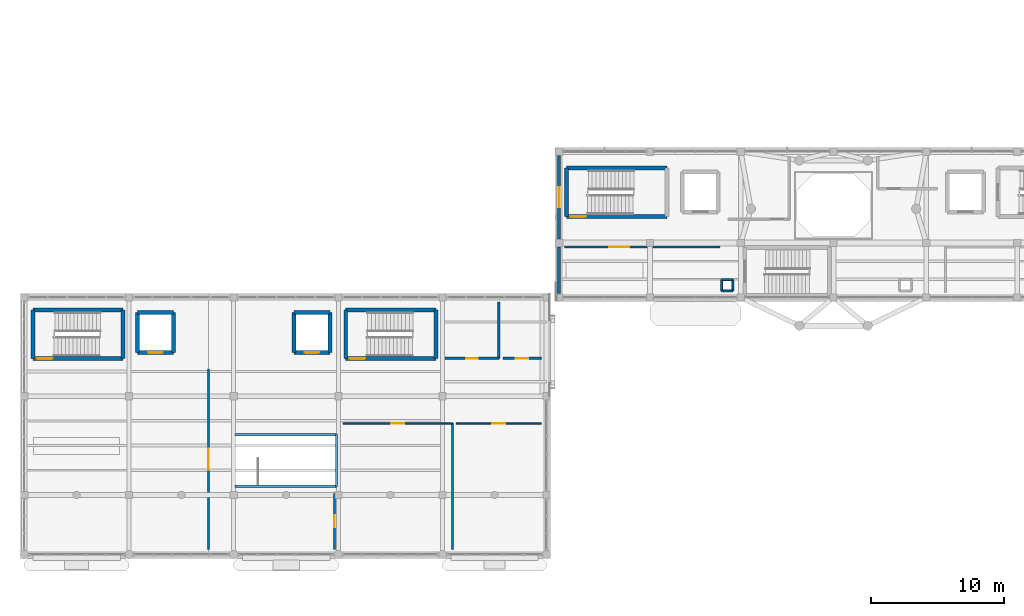
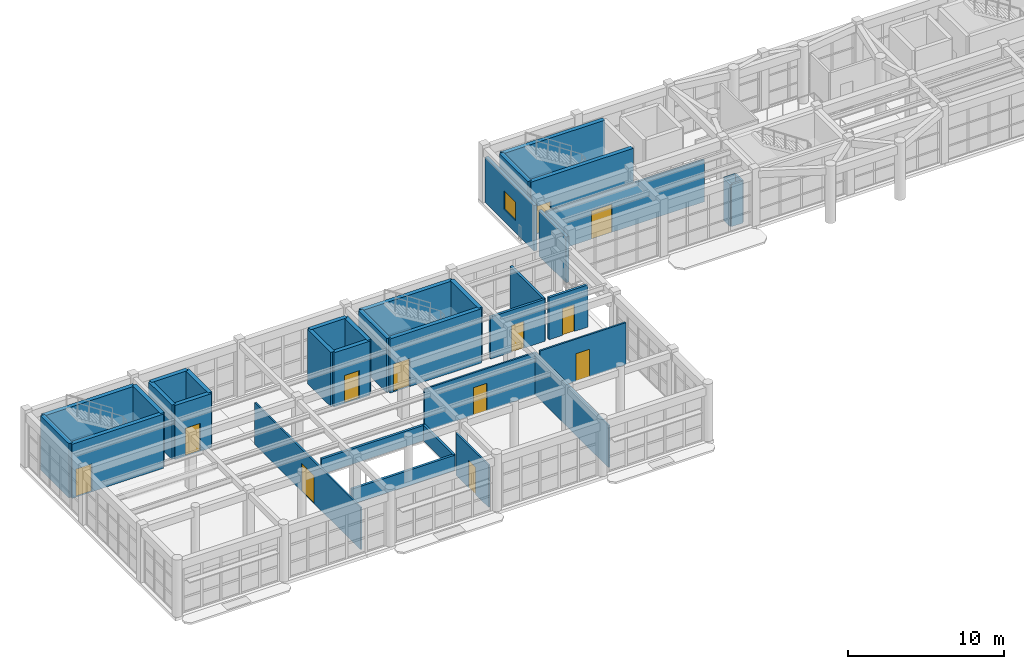
# One storey, part 68 of 85: 37 walls, 12 doors, 1 window, 13 openings.
"""IFC4 building model written with IfcOpenShell, lengths in metres."""

from ifc_helpers import new_model, si_unit, direction, frame, frame_2d, origin, place, context, subcontext, project, spatial, rectangle, extrude, material, layer, layer_set, type_object, element, fill, save


model = new_model("IFC4")

# Units and contexts
model_context = context("Model", 3, precision=1e-05, world=origin(), true_north=direction((0.0, 1.0)))
body_context = subcontext(model_context, "Body", "Model", "MODEL_VIEW")
ifc_project = project(units=[si_unit("LENGTHUNIT", "METRE"), si_unit("AREAUNIT", "SQUARE_METRE"), si_unit("VOLUMEUNIT", "CUBIC_METRE"), si_unit("PLANEANGLEUNIT", "RADIAN"), si_unit("MASSUNIT", "GRAM", prefix="KILO")], contexts=[model_context])

# Site, building, storey
site_placement = place(None, origin())
site = spatial("IfcSite", under=ifc_project, at=site_placement, CompositionType="ELEMENT")
building_placement = place(site_placement, origin())
building = spatial("IfcBuilding", under=site, at=building_placement, Name="Candilejo Ridge Gondola Terminal", CompositionType="ELEMENT")
storey_placement = place(building_placement, frame((0.0, 0.0, 4.5)))
storey = spatial("IfcBuildingStorey", under=building, at=storey_placement, Name="L01", CompositionType="ELEMENT", Elevation=4.5)

# Wall
ifc_material_1 = material(Name="Concrete C20/25 masonry blockwork (f'm 14 MPa)", Category="masonry")
ifc_layer_1 = layer(ifc_material_1, 0.219970703125)
ifc_layer_set_1 = layer_set([ifc_layer_1], Name="ARC-EXT-WALL-220")
wall_type_1 = type_object("IfcWallType", Name="ARC-EXT-WALL-220", PredefinedType="STANDARD", material=ifc_layer_set_1)
wall_1_placement = place(storey_placement, frame((44.64990234375, 26.0, 0.0), z_axis=(0.0, 0.0, 1.0), x_axis=(0.0, 1.0, 0.0)))
element("IfcWall", 1, at=wall_1_placement, inside=storey, type_object=wall_type_1, Name="Exterior facade wall EW-V2-L01-041", PredefinedType="STANDARD", context=body_context, shape_type="SweptSolid", body=[
    extrude(rectangle(XDim=3.5, YDim=0.219970703125, at=frame_2d((1.75, 0.0))), origin(), (0.0, 0.0, 1.0), 3.580078125),
])

# Wall, opening, window
wall_2_placement = place(storey_placement, frame((44.64990234375, 30.10009765625, 0.0), z_axis=(0.0, 0.0, 1.0), x_axis=(0.0, 1.0, 0.0)))
wall_2 = element("IfcWall", 2, at=wall_2_placement, inside=storey, type_object=wall_type_1, Name="Exterior facade wall EW-V2-L01-042", PredefinedType="STANDARD", context=body_context, shape_type="SweptSolid", body=[
    extrude(rectangle(XDim=6.2998046875, YDim=0.219970703125, at=frame_2d((3.14990234375, 0.0))), origin(), (0.0, 0.0, 1.0), 3.580078125),
])
opening_1_placement = place(wall_2_placement, frame((2.39990234375, 0.0, 0.949951171875)))
opening_1 = element("IfcOpeningElement", 3, at=opening_1_placement, cuts=wall_2, Name="Opening WN-03", PredefinedType="OPENING", context=body_context, shape_type="SweptSolid", body=[
    extrude(rectangle(XDim=1.5, YDim=1.449951171875, at=frame_2d((0.75, 0.72509765625))), frame((0.0, 0.119873046875, 0.0), z_axis=(0.0, -1.0, 0.0), x_axis=(1.0, 0.0, 0.0)), (0.0, 0.0, 1.0), 0.239990234375),
])
ifc_material_2 = material(Name="Low-E laminated double glazing 6+12A+6+1.52PVB+6 mm", Category="glass")
window_type = type_object("IfcWindowType", Name="ARC-WIN-1500X1450", PartitioningType="SINGLE_PANEL", PredefinedType="WINDOW", material=ifc_material_2)
window_placement = place(opening_1_placement, origin())
window = element("IfcWindow", 4, at=window_placement, inside=storey, type_object=window_type, Name="Window WIN-017", OverallHeight=1.449951171875, OverallWidth=1.5, PartitioningType="SINGLE_PANEL", PredefinedType="WINDOW", context=body_context, shape_type="SweptSolid", body=[
    extrude(rectangle(XDim=1.5, YDim=1.449951171875, at=frame_2d((0.75, 0.72509765625))), frame((0.0, 0.030029296875, 0.0), z_axis=(0.0, -1.0, 0.0), x_axis=(1.0, 0.0, 0.0)), (0.0, 0.0, 1.0), 0.06005859375),
])
fill(opening_1, window)

# Walls
ifc_material_3 = material(Name="Concrete f'c 35 MPa (C35/45)", Category="concrete")
ifc_layer_2 = layer(ifc_material_3, 0.179931640625)
ifc_layer_set_2 = layer_set([ifc_layer_2], Name="ARC-PARAPET-WALL-180")
wall_type_2 = type_object("IfcWallType", Name="ARC-PARAPET-WALL-180", PredefinedType="PARAPET", material=ifc_layer_set_2)
wall_3_placement = place(storey_placement, frame((20.199951171875, 11.449951171875, 0.0), z_axis=(0.0, 0.0, 1.0), x_axis=(1.0, 0.0, 0.0)))
element("IfcWall", 5, at=wall_3_placement, inside=storey, type_object=wall_type_2, Name="Public stair enclosure wall ST-P01 L01-S", PredefinedType="PARAPET", context=body_context, shape_type="SweptSolid", body=[
    extrude(rectangle(XDim=7.650146484375, YDim=0.179931640625, at=frame_2d((3.8251953125, 0.0))), origin(), (0.0, 0.0, 1.0), 1.199951171875),
])
wall_4_placement = place(storey_placement, frame((27.85009765625, 11.449951171875, 0.0), z_axis=(0.0, 0.0, 1.0), x_axis=(0.0, 1.0, 0.0)))
element("IfcWall", 6, at=wall_4_placement, inside=storey, type_object=wall_type_2, Name="Public stair enclosure wall ST-P01 L01-E", PredefinedType="PARAPET", context=body_context, shape_type="SweptSolid", body=[
    extrude(rectangle(XDim=3.900146484375, YDim=0.179931640625, at=frame_2d((1.9501953125, 0.0))), origin(), (0.0, 0.0, 1.0), 1.199951171875),
])
wall_5_placement = place(storey_placement, frame((20.199951171875, 15.35009765625, 0.0), z_axis=(0.0, 0.0, 1.0), x_axis=(1.0, 0.0, 0.0)))
element("IfcWall", 7, at=wall_5_placement, inside=storey, type_object=wall_type_2, Name="Public stair enclosure wall ST-P01 L01-N", PredefinedType="PARAPET", context=body_context, shape_type="SweptSolid", body=[
    extrude(rectangle(XDim=7.650146484375, YDim=0.179931640625, at=frame_2d((3.8251953125, 0.0))), origin(), (0.0, 0.0, 1.0), 1.199951171875),
])

# Wall, opening, door
ifc_material_4 = material(Name="Gypsum board Type X acoustic partition (2x15.9 mm)", Category="gypsum")
ifc_layer_3 = layer(ifc_material_4, 0.125)
ifc_layer_set_3 = layer_set([ifc_layer_3], Name="ARC-PART-GYP125")
wall_type_3 = type_object("IfcWallType", Name="ARC-PART-GYP125", PredefinedType="PARTITIONING", material=ifc_layer_set_3)
wall_6_placement = place(storey_placement, frame((18.199951171875, 6.699951171875, 0.0), z_axis=(0.0, 0.0, 1.0), x_axis=(0.0, 1.0, 0.0)))
wall_6 = element("IfcWall", 8, at=wall_6_placement, inside=storey, type_object=wall_type_3, Name="Interior partition PT-V1-L01-0034", PredefinedType="PARTITIONING", context=body_context, shape_type="SweptSolid", body=[
    extrude(rectangle(XDim=13.60009765625, YDim=0.125, at=frame_2d((6.800048828125, 0.0))), origin(), (0.0, 0.0, 1.0), 3.300048828125),
])
opening_2_placement = place(wall_6_placement, frame((6.0, 0.0, 0.0)))
opening_2 = element("IfcOpeningElement", 9, at=opening_2_placement, cuts=wall_6, Name="Opening ID-03", PredefinedType="OPENING", context=body_context, shape_type="SweptSolid", body=[
    extrude(rectangle(XDim=1.60009765625, YDim=2.199951171875, at=frame_2d((0.800048828125, 1.10009765625))), frame((0.0, 0.072509765625, 0.0), z_axis=(0.0, -1.0, 0.0), x_axis=(1.0, 0.0, 0.0)), (0.0, 0.0, 1.0), 0.14501953125),
])
ifc_material_5 = material(Name="Solid-core fire-rated hardwood door leaf", Category="wood")
door_type_1 = type_object("IfcDoorType", Name="ARC-DOOR-DBL-1600", OperationType="NOTDEFINED", PredefinedType="DOOR", material=ifc_material_5)
door_1_placement = place(opening_2_placement, origin())
door_1 = element("IfcDoor", 10, at=door_1_placement, inside=storey, type_object=door_type_1, Name="Interior door IDR-0019 (101)", OperationType="DOUBLE_DOOR_SINGLE_SWING", OverallHeight=2.199951171875, OverallWidth=1.60009765625, PredefinedType="DOOR", context=body_context, shape_type="SweptSolid", body=[
    extrude(rectangle(XDim=1.60009765625, YDim=2.199951171875, at=frame_2d((0.800048828125, 1.10009765625))), frame((0.0, 0.02490234375, 0.0), z_axis=(0.0, -1.0, 0.0), x_axis=(1.0, 0.0, 0.0)), (0.0, 0.0, 1.0), 0.050048828125),
])
fill(opening_2, door_1)

wall_7_placement = place(storey_placement, frame((27.699951171875, 6.699951171875, 0.0), z_axis=(0.0, 0.0, 1.0), x_axis=(0.0, 1.0, 0.0)))
wall_7 = element("IfcWall", 11, at=wall_7_placement, inside=storey, type_object=wall_type_3, Name="Interior partition PT-V1-L01-0035", PredefinedType="PARTITIONING", context=body_context, shape_type="SweptSolid", body=[
    extrude(rectangle(XDim=4.199951171875, YDim=0.125, at=frame_2d((2.10009765625, 0.0))), origin(), (0.0, 0.0, 1.0), 3.300048828125),
])
opening_3_placement = place(wall_7_placement, frame((1.64990234375, 0.0, 0.0)))
opening_3 = element("IfcOpeningElement", 12, at=opening_3_placement, cuts=wall_7, Name="Opening ID-02", PredefinedType="OPENING", context=body_context, shape_type="SweptSolid", body=[
    extrude(rectangle(XDim=0.89990234375, YDim=2.14990234375, at=frame_2d((0.449951171875, 1.074951171875))), frame((0.0, 0.072509765625, 0.0), z_axis=(0.0, -1.0, 0.0), x_axis=(1.0, 0.0, 0.0)), (0.0, 0.0, 1.0), 0.14501953125),
])
ifc_material_6 = material(Name="Solid-core fire-rated hardwood door leaf", Category="wood")
door_type_2 = type_object("IfcDoorType", Name="ARC-DOOR-INT-0900", OperationType="NOTDEFINED", PredefinedType="DOOR", material=ifc_material_6)
door_2_placement = place(opening_3_placement, origin())
door_2 = element("IfcDoor", 13, at=door_2_placement, inside=storey, type_object=door_type_2, Name="Interior door IDR-0020 (103)", OperationType="SINGLE_SWING_RIGHT", OverallHeight=2.14990234375, OverallWidth=0.89990234375, PredefinedType="DOOR", context=body_context, shape_type="SweptSolid", body=[
    extrude(rectangle(XDim=0.89990234375, YDim=2.14990234375, at=frame_2d((0.449951171875, 1.074951171875))), frame((0.0, 0.02490234375, 0.0), z_axis=(0.0, -1.0, 0.0), x_axis=(1.0, 0.0, 0.0)), (0.0, 0.0, 1.0), 0.050048828125),
])
fill(opening_3, door_2)

wall_8_placement = place(storey_placement, frame((28.35009765625, 16.199951171875, 0.0), z_axis=(0.0, 0.0, 1.0), x_axis=(1.0, 0.0, 0.0)))
wall_8 = element("IfcWall", 14, at=wall_8_placement, inside=storey, type_object=wall_type_3, Name="Interior partition PT-V1-L01-0036", PredefinedType="PARTITIONING", context=body_context, shape_type="SweptSolid", body=[
    extrude(rectangle(XDim=8.25, YDim=0.125, at=frame_2d((4.125, 0.0))), origin(), (0.0, 0.0, 1.0), 3.300048828125),
])
opening_4_placement = place(wall_8_placement, frame((3.625, 0.0, 0.0)))
opening_4 = element("IfcOpeningElement", 15, at=opening_4_placement, cuts=wall_8, Name="Opening ID-01", PredefinedType="OPENING", context=body_context, shape_type="SweptSolid", body=[
    extrude(rectangle(XDim=1.0, YDim=2.14990234375, at=frame_2d((0.5, 1.074951171875))), frame((0.0, 0.072509765625, 0.0), z_axis=(0.0, -1.0, 0.0), x_axis=(1.0, 0.0, 0.0)), (0.0, 0.0, 1.0), 0.14501953125),
])
ifc_material_7 = material(Name="Solid-core fire-rated hardwood door leaf", Category="wood")
door_type_3 = type_object("IfcDoorType", Name="ARC-DOOR-INT-1000", OperationType="NOTDEFINED", PredefinedType="DOOR", material=ifc_material_7)
door_3_placement = place(opening_4_placement, origin())
door_3 = element("IfcDoor", 16, at=door_3_placement, inside=storey, type_object=door_type_3, Name="Interior door IDR-0021 (104)", OperationType="SINGLE_SWING_LEFT", OverallHeight=2.14990234375, OverallWidth=1.0, PredefinedType="DOOR", context=body_context, shape_type="SweptSolid", body=[
    extrude(rectangle(XDim=1.0, YDim=2.14990234375, at=frame_2d((0.5, 1.074951171875))), frame((0.0, 0.02490234375, 0.0), z_axis=(0.0, -1.0, 0.0), x_axis=(1.0, 0.0, 0.0)), (0.0, 0.0, 1.0), 0.050048828125),
])
fill(opening_4, door_3)

# Wall
wall_9_placement = place(storey_placement, frame((36.60009765625, 6.699951171875, 0.0), z_axis=(0.0, 0.0, 1.0), x_axis=(0.0, 1.0, 0.0)))
element("IfcWall", 17, at=wall_9_placement, inside=storey, type_object=wall_type_3, Name="Interior partition PT-V1-L01-0037", PredefinedType="PARTITIONING", context=body_context, shape_type="SweptSolid", body=[
    extrude(rectangle(XDim=9.5, YDim=0.125, at=frame_2d((4.75, 0.0))), origin(), (0.0, 0.0, 1.0), 3.300048828125),
])

# Wall, opening, door
wall_10_placement = place(storey_placement, frame((36.89990234375, 16.199951171875, 0.0), z_axis=(0.0, 0.0, 1.0), x_axis=(1.0, 0.0, 0.0)))
wall_10 = element("IfcWall", 18, at=wall_10_placement, inside=storey, type_object=wall_type_3, Name="Interior partition PT-V1-L01-0038", PredefinedType="PARTITIONING", context=body_context, shape_type="SweptSolid", body=[
    extrude(rectangle(XDim=6.400146484375, YDim=0.125, at=frame_2d((3.2001953125, 0.0))), origin(), (0.0, 0.0, 1.0), 3.300048828125),
])
opening_5_placement = place(wall_10_placement, frame((2.699951171875, 0.0, 0.0)))
opening_5 = element("IfcOpeningElement", 19, at=opening_5_placement, cuts=wall_10, Name="Opening ID-01", PredefinedType="OPENING", context=body_context, shape_type="SweptSolid", body=[
    extrude(rectangle(XDim=1.0, YDim=2.14990234375, at=frame_2d((0.5, 1.074951171875))), frame((0.0, 0.072509765625, 0.0), z_axis=(0.0, -1.0, 0.0), x_axis=(1.0, 0.0, 0.0)), (0.0, 0.0, 1.0), 0.14501953125),
])
door_4_placement = place(opening_5_placement, origin())
door_4 = element("IfcDoor", 20, at=door_4_placement, inside=storey, type_object=door_type_3, Name="Interior door IDR-0022 (105)", OperationType="SINGLE_SWING_RIGHT", OverallHeight=2.14990234375, OverallWidth=1.0, PredefinedType="DOOR", context=body_context, shape_type="SweptSolid", body=[
    extrude(rectangle(XDim=1.0, YDim=2.14990234375, at=frame_2d((0.5, 1.074951171875))), frame((0.0, 0.02490234375, 0.0), z_axis=(0.0, -1.0, 0.0), x_axis=(1.0, 0.0, 0.0)), (0.0, 0.0, 1.0), 0.050048828125),
])
fill(opening_5, door_4)

ifc_material_8 = material(Name="Gypsum board Type X acoustic partition (2x15.9 mm)", Category="gypsum")
ifc_layer_4 = layer(ifc_material_8, 0.135009765625)
ifc_layer_set_4 = layer_set([ifc_layer_4], Name="ARC-PART-GYP135")
wall_type_4 = type_object("IfcWallType", Name="ARC-PART-GYP135", PredefinedType="PARTITIONING", material=ifc_layer_set_4)
wall_11_placement = place(storey_placement, frame((45.050048828125, 29.5, 0.0), z_axis=(0.0, 0.0, 1.0), x_axis=(1.0, 0.0, 0.0)))
wall_11 = element("IfcWall", 21, at=wall_11_placement, inside=storey, type_object=wall_type_4, Name="Interior partition PT-V2-L01-0042", PredefinedType="PARTITIONING", context=body_context, shape_type="SweptSolid", body=[
    extrude(rectangle(XDim=11.75, YDim=0.135009765625, at=frame_2d((5.875, 0.0))), origin(), (0.0, 0.0, 1.0), 3.300048828125),
])
opening_6_placement = place(wall_11_placement, frame((3.375, 0.0, 0.0)))
opening_6 = element("IfcOpeningElement", 22, at=opening_6_placement, cuts=wall_11, Name="Opening ID-03B", PredefinedType="OPENING", context=body_context, shape_type="SweptSolid", body=[
    extrude(rectangle(XDim=1.5, YDim=2.199951171875, at=frame_2d((0.75, 1.10009765625))), frame((0.0, 0.077392578125, 0.0), z_axis=(0.0, -1.0, 0.0), x_axis=(1.0, 0.0, 0.0)), (0.0, 0.0, 1.0), 0.155029296875),
])
ifc_material_9 = material(Name="Solid-core fire-rated hardwood door leaf", Category="wood")
door_type_4 = type_object("IfcDoorType", Name="ARC-DOOR-DBL-1500", OperationType="NOTDEFINED", PredefinedType="DOOR", material=ifc_material_9)
door_5_placement = place(opening_6_placement, origin())
door_5 = element("IfcDoor", 23, at=door_5_placement, inside=storey, type_object=door_type_4, Name="Interior door IDR-0025 (109)", OperationType="DOUBLE_DOOR_SINGLE_SWING", OverallHeight=2.199951171875, OverallWidth=1.5, PredefinedType="DOOR", context=body_context, shape_type="SweptSolid", body=[
    extrude(rectangle(XDim=1.5, YDim=2.199951171875, at=frame_2d((0.75, 1.10009765625))), frame((0.0, 0.02490234375, 0.0), z_axis=(0.0, -1.0, 0.0), x_axis=(1.0, 0.0, 0.0)), (0.0, 0.0, 1.0), 0.050048828125),
])
fill(opening_6, door_5)

# Walls
ifc_material_10 = material(Name="Gypsum board Type X acoustic partition (2x15.9 mm)", Category="gypsum")
ifc_layer_5 = layer(ifc_material_10, 0.14990234375)
ifc_layer_set_5 = layer_set([ifc_layer_5], Name="ARC-PART-GYP150-EI60")
wall_type_5 = type_object("IfcWallType", Name="ARC-PART-GYP150-EI60", PredefinedType="PARTITIONING", material=ifc_layer_set_5)
for number, where, z_axis, x_axis, name in (
    (24, (56.89990234375, 26.199951171875, 0.0), (0.0, 0.0, 1.0), (1.0, 0.0, 0.0), "Riser shaft wall RIS-V2-L01W L01-S"),
    (25, (56.89990234375, 27.050048828125, 0.0), (0.0, 0.0, 1.0), (1.0, 0.0, 0.0), "Riser shaft wall RIS-V2-L01W L01-N"),
    (26, (56.89990234375, 26.199951171875, 0.0), (0.0, 0.0, 1.0), (0.0, 1.0, 0.0), "Riser shaft wall RIS-V2-L01W L01-W"),
    (27, (57.75, 26.199951171875, 0.0), (0.0, 0.0, 1.0), (0.0, 1.0, 0.0), "Riser shaft wall RIS-V2-L01W L01-E"),
):
    element("IfcWall", number, at=place(storey_placement, frame(where, z_axis=z_axis, x_axis=x_axis)), inside=storey, type_object=wall_type_5, Name=name, PredefinedType="PARTITIONING", context=body_context, shape_type="SweptSolid", body=[
        extrude(rectangle(XDim=0.85009765625, YDim=0.14990234375, at=frame_2d((0.425048828125, 0.0))), origin(), (0.0, 0.0, 1.0), 3.300048828125),
    ])

# Wall, opening, door
ifc_material_11 = material(Name="Concrete C20/25 masonry blockwork (f'm 14 MPa)", Category="masonry")
ifc_layer_6 = layer(ifc_material_11, 0.179931640625)
ifc_layer_set_6 = layer_set([ifc_layer_6], Name="ARC-WALL-PLUMBING-180")
wall_type_6 = type_object("IfcWallType", Name="ARC-WALL-PLUMBING-180", PredefinedType="PLUMBINGWALL", material=ifc_layer_set_6)
wall_12_placement = place(storey_placement, frame((36.050048828125, 21.10009765625, 0.0), z_axis=(0.0, 0.0, 1.0), x_axis=(1.0, 0.0, 0.0)))
wall_12 = element("IfcWall", 28, at=wall_12_placement, inside=storey, type_object=wall_type_6, Name="Interior partition PT-V1-L01-0039", PredefinedType="PLUMBINGWALL", context=body_context, shape_type="SweptSolid", body=[
    extrude(rectangle(XDim=4.050048828125, YDim=0.179931640625, at=frame_2d((2.02490234375, 0.0))), origin(), (0.0, 0.0, 1.0), 3.300048828125),
])
opening_7_placement = place(wall_12_placement, frame((1.574951171875, 0.0, 0.0)))
opening_7 = element("IfcOpeningElement", 29, at=opening_7_placement, cuts=wall_12, Name="Opening ID-04", PredefinedType="OPENING", context=body_context, shape_type="SweptSolid", body=[
    extrude(rectangle(XDim=0.89990234375, YDim=2.10009765625, at=frame_2d((0.449951171875, 1.050048828125))), frame((0.0, 0.099853515625, 0.0), z_axis=(0.0, -1.0, 0.0), x_axis=(1.0, 0.0, 0.0)), (0.0, 0.0, 1.0), 0.199951171875),
])
ifc_material_12 = material(Name="Solid-core fire-rated hardwood door leaf", Category="wood")
door_type_5 = type_object("IfcDoorType", Name="ARC-DOOR-WC-0900", OperationType="NOTDEFINED", PredefinedType="DOOR", material=ifc_material_12)
door_6_placement = place(opening_7_placement, origin())
door_6 = element("IfcDoor", 30, at=door_6_placement, inside=storey, type_object=door_type_5, Name="Interior door IDR-0023 (107)", OperationType="SINGLE_SWING_LEFT", OverallHeight=2.10009765625, OverallWidth=0.89990234375, PredefinedType="DOOR", context=body_context, shape_type="SweptSolid", body=[
    extrude(rectangle(XDim=0.89990234375, YDim=2.10009765625, at=frame_2d((0.449951171875, 1.050048828125))), frame((0.0, 0.02490234375, 0.0), z_axis=(0.0, -1.0, 0.0), x_axis=(1.0, 0.0, 0.0)), (0.0, 0.0, 1.0), 0.050048828125),
])
fill(opening_7, door_6)

# Wall
wall_13_placement = place(storey_placement, frame((40.10009765625, 21.10009765625, 0.0), z_axis=(0.0, 0.0, 1.0), x_axis=(0.0, 1.0, 0.0)))
element("IfcWall", 31, at=wall_13_placement, inside=storey, type_object=wall_type_6, Name="Interior partition PT-V1-L01-0040", PredefinedType="PLUMBINGWALL", context=body_context, shape_type="SweptSolid", body=[
    extrude(rectangle(XDim=4.25, YDim=0.179931640625, at=frame_2d((2.125, 0.0))), origin(), (0.0, 0.0, 1.0), 3.300048828125),
])

# Wall, opening, door
wall_14_placement = place(storey_placement, frame((40.39990234375, 21.10009765625, 0.0), z_axis=(0.0, 0.0, 1.0), x_axis=(1.0, 0.0, 0.0)))
wall_14 = element("IfcWall", 32, at=wall_14_placement, inside=storey, type_object=wall_type_6, Name="Interior partition PT-V1-L01-0041", PredefinedType="PLUMBINGWALL", context=body_context, shape_type="SweptSolid", body=[
    extrude(rectangle(XDim=2.900146484375, YDim=0.179931640625, at=frame_2d((1.4501953125, 0.0))), origin(), (0.0, 0.0, 1.0), 3.300048828125),
])
opening_8_placement = place(wall_14_placement, frame((0.989990234375, 0.0, 0.0)))
opening_8 = element("IfcOpeningElement", 33, at=opening_8_placement, cuts=wall_14, Name="Opening ID-04A", PredefinedType="OPENING", context=body_context, shape_type="SweptSolid", body=[
    extrude(rectangle(XDim=0.919921875, YDim=2.10009765625, at=frame_2d((0.4599609375, 1.050048828125))), frame((0.0, 0.099853515625, 0.0), z_axis=(0.0, -1.0, 0.0), x_axis=(1.0, 0.0, 0.0)), (0.0, 0.0, 1.0), 0.199951171875),
])
ifc_material_13 = material(Name="Solid-core fire-rated hardwood door leaf", Category="wood")
door_type_6 = type_object("IfcDoorType", Name="ARC-DOOR-WC-0920", OperationType="NOTDEFINED", PredefinedType="DOOR", material=ifc_material_13)
door_7_placement = place(opening_8_placement, origin())
door_7 = element("IfcDoor", 34, at=door_7_placement, inside=storey, type_object=door_type_6, Name="Interior door IDR-0024 (108)", OperationType="SINGLE_SWING_RIGHT", OverallHeight=2.10009765625, OverallWidth=0.919921875, PredefinedType="DOOR", context=body_context, shape_type="SweptSolid", body=[
    extrude(rectangle(XDim=0.919921875, YDim=2.10009765625, at=frame_2d((0.4599609375, 1.050048828125))), frame((0.0, 0.02490234375, 0.0), z_axis=(0.0, -1.0, 0.0), x_axis=(1.0, 0.0, 0.0)), (0.0, 0.0, 1.0), 0.050048828125),
])
fill(opening_8, door_7)

ifc_material_14 = material(Name="Concrete f'c 35 MPa (C35/45)", Category="concrete")
ifc_layer_7 = layer(ifc_material_14, 0.300048828125)
ifc_layer_set_7 = layer_set([ifc_layer_7], Name="STR-CORE-WALL-300")
wall_type_7 = type_object("IfcWallType", Name="STR-CORE-WALL-300", PredefinedType="SHEAR", material=ifc_layer_set_7)
wall_15_placement = place(storey_placement, frame((4.949951171875, 21.10009765625, 0.0), z_axis=(0.0, 0.0, 1.0), x_axis=(1.0, 0.0, 0.0)))
wall_15 = element("IfcWall", 35, at=wall_15_placement, inside=storey, type_object=wall_type_7, Name="Core stair shear wall SW-C-V1A-L01-ST-S", PredefinedType="SHEAR", context=body_context, shape_type="SweptSolid", body=[
    extrude(rectangle(XDim=6.800048828125, YDim=0.300048828125, at=frame_2d((3.39990234375, 0.0))), origin(), (0.0, 0.0, 1.0), 4.25),
])
opening_9_placement = place(wall_15_placement, frame((0.280029296875, 0.0, 0.0)))
opening_9 = element("IfcOpeningElement", 36, at=opening_9_placement, cuts=wall_15, Name="Opening FD-01", PredefinedType="OPENING", context=body_context, shape_type="SweptSolid", body=[
    extrude(rectangle(XDim=1.199951171875, YDim=2.199951171875, at=frame_2d((0.60009765625, 1.10009765625))), frame((0.0, 0.159912109375, 0.0), z_axis=(0.0, -1.0, 0.0), x_axis=(1.0, 0.0, 0.0)), (0.0, 0.0, 1.0), 0.320068359375),
])
ifc_material_15 = material(Name="Steel ASTM A653 Grade 33 hollow-metal door", Category="steel")
door_type_7 = type_object("IfcDoorType", Name="ARC-DOOR-FD90-1200", OperationType="NOTDEFINED", PredefinedType="DOOR", material=ifc_material_15)
door_8_placement = place(opening_9_placement, origin())
door_8 = element("IfcDoor", 37, at=door_8_placement, inside=storey, type_object=door_type_7, Name="Fire stair door SDR-002", OperationType="SINGLE_SWING_RIGHT", OverallHeight=2.199951171875, OverallWidth=1.199951171875, PredefinedType="DOOR", context=body_context, shape_type="SweptSolid", body=[
    extrude(rectangle(XDim=1.199951171875, YDim=2.199951171875, at=frame_2d((0.60009765625, 1.10009765625))), frame((0.0, 0.02490234375, 0.0), z_axis=(0.0, -1.0, 0.0), x_axis=(1.0, 0.0, 0.0)), (0.0, 0.0, 1.0), 0.050048828125),
])
fill(opening_9, door_8)

# Walls
wall_16_placement = place(storey_placement, frame((11.75, 24.75, 0.0), z_axis=(0.0, 0.0, 1.0), x_axis=(-1.0, 0.0, 0.0)))
element("IfcWall", 38, at=wall_16_placement, inside=storey, type_object=wall_type_7, Name="Core stair shear wall SW-C-V1A-L01-ST-N", PredefinedType="SHEAR", context=body_context, shape_type="SweptSolid", body=[
    extrude(rectangle(XDim=6.800048828125, YDim=0.300048828125, at=frame_2d((3.39990234375, 0.0))), origin(), (0.0, 0.0, 1.0), 4.25),
])
for number, where, z_axis, x_axis, name in (
    (39, (4.949951171875, 24.75, 0.0), (0.0, 0.0, 1.0), (0.0, -1.0, 0.0), "Core stair shear wall SW-C-V1A-L01-ST-W"),
    (40, (11.75, 21.10009765625, 0.0), (0.0, 0.0, 1.0), (0.0, 1.0, 0.0), "Core stair shear wall SW-C-V1A-L01-ST-E"),
):
    element("IfcWall", number, at=place(storey_placement, frame(where, z_axis=z_axis, x_axis=x_axis)), inside=storey, type_object=wall_type_7, Name=name, PredefinedType="SHEAR", context=body_context, shape_type="SweptSolid", body=[
        extrude(rectangle(XDim=3.64990234375, YDim=0.300048828125, at=frame_2d((1.824951171875, 0.0))), origin(), (0.0, 0.0, 1.0), 4.25),
    ])

# Wall, opening, door
wall_17_placement = place(storey_placement, frame((12.85009765625, 21.550048828125, 0.0), z_axis=(0.0, 0.0, 1.0), x_axis=(1.0, 0.0, 0.0)))
wall_17 = element("IfcWall", 41, at=wall_17_placement, inside=storey, type_object=wall_type_7, Name="Lift shaft shear wall SW-C-V1A-L01-LF-S", PredefinedType="SHEAR", context=body_context, shape_type="SweptSolid", body=[
    extrude(rectangle(XDim=2.699951171875, YDim=0.300048828125, at=frame_2d((1.35009765625, 0.0))), origin(), (0.0, 0.0, 1.0), 4.25),
])
opening_10_placement = place(wall_17_placement, frame((0.800048828125, 0.0, 0.0)))
opening_10 = element("IfcOpeningElement", 42, at=opening_10_placement, cuts=wall_17, Name="Opening LD-01", PredefinedType="OPENING", context=body_context, shape_type="SweptSolid", body=[
    extrude(rectangle(XDim=1.10009765625, YDim=2.199951171875, at=frame_2d((0.550048828125, 1.10009765625))), frame((0.0, 0.159912109375, 0.0), z_axis=(0.0, -1.0, 0.0), x_axis=(1.0, 0.0, 0.0)), (0.0, 0.0, 1.0), 0.320068359375),
])
ifc_material_16 = material(Name="Brushed stainless steel AISI 316", Category="steel")
door_type_8 = type_object("IfcDoorType", Name="ARC-LIFT-DOOR-1100", OperationType="NOTDEFINED", PredefinedType="DOOR", material=ifc_material_16)
door_9_placement = place(opening_10_placement, origin())
door_9 = element("IfcDoor", 43, at=door_9_placement, inside=storey, type_object=door_type_8, Name="Elevator landing door LDR-002", OperationType="SLIDING_TO_LEFT", OverallHeight=2.199951171875, OverallWidth=1.10009765625, PredefinedType="DOOR", context=body_context, shape_type="SweptSolid", body=[
    extrude(rectangle(XDim=1.10009765625, YDim=2.199951171875, at=frame_2d((0.550048828125, 1.10009765625))), frame((0.0, 0.02490234375, 0.0), z_axis=(0.0, -1.0, 0.0), x_axis=(1.0, 0.0, 0.0)), (0.0, 0.0, 1.0), 0.050048828125),
])
fill(opening_10, door_9)

# Walls
wall_18_placement = place(storey_placement, frame((12.85009765625, 24.550048828125, 0.0), z_axis=(0.0, 0.0, 1.0), x_axis=(1.0, 0.0, 0.0)))
element("IfcWall", 44, at=wall_18_placement, inside=storey, type_object=wall_type_7, Name="Lift shaft shear wall SW-C-V1A-L01-LF-N", PredefinedType="SHEAR", context=body_context, shape_type="SweptSolid", body=[
    extrude(rectangle(XDim=2.699951171875, YDim=0.300048828125, at=frame_2d((1.35009765625, 0.0))), origin(), (0.0, 0.0, 1.0), 4.25),
])
for number, where, z_axis, x_axis, name in (
    (45, (12.85009765625, 21.550048828125, 0.0), (0.0, 0.0, 1.0), (0.0, 1.0, 0.0), "Lift shaft shear wall SW-C-V1A-L01-LF-W"),
    (46, (15.550048828125, 21.550048828125, 0.0), (0.0, 0.0, 1.0), (0.0, 1.0, 0.0), "Lift shaft shear wall SW-C-V1A-L01-LF-E"),
):
    element("IfcWall", number, at=place(storey_placement, frame(where, z_axis=z_axis, x_axis=x_axis)), inside=storey, type_object=wall_type_7, Name=name, PredefinedType="SHEAR", context=body_context, shape_type="SweptSolid", body=[
        extrude(rectangle(XDim=3.0, YDim=0.300048828125, at=frame_2d((1.5, 0.0))), origin(), (0.0, 0.0, 1.0), 4.25),
    ])

# Wall, opening, door
wall_19_placement = place(storey_placement, frame((28.550048828125, 21.10009765625, 0.0), z_axis=(0.0, 0.0, 1.0), x_axis=(1.0, 0.0, 0.0)))
wall_19 = element("IfcWall", 47, at=wall_19_placement, inside=storey, type_object=wall_type_7, Name="Core stair shear wall SW-C-V1B-L01-ST-S", PredefinedType="SHEAR", context=body_context, shape_type="SweptSolid", body=[
    extrude(rectangle(XDim=6.800048828125, YDim=0.300048828125, at=frame_2d((3.39990234375, 0.0))), origin(), (0.0, 0.0, 1.0), 4.25),
])
opening_11_placement = place(wall_19_placement, frame((0.280029296875, 0.0, 0.0)))
opening_11 = element("IfcOpeningElement", 48, at=opening_11_placement, cuts=wall_19, Name="Opening FD-01", PredefinedType="OPENING", context=body_context, shape_type="SweptSolid", body=[
    extrude(rectangle(XDim=1.199951171875, YDim=2.199951171875, at=frame_2d((0.60009765625, 1.10009765625))), frame((0.0, 0.159912109375, 0.0), z_axis=(0.0, -1.0, 0.0), x_axis=(1.0, 0.0, 0.0)), (0.0, 0.0, 1.0), 0.320068359375),
])
door_10_placement = place(opening_11_placement, origin())
door_10 = element("IfcDoor", 49, at=door_10_placement, inside=storey, type_object=door_type_7, Name="Fire stair door SDR-005", OperationType="SINGLE_SWING_LEFT", OverallHeight=2.199951171875, OverallWidth=1.199951171875, PredefinedType="DOOR", context=body_context, shape_type="SweptSolid", body=[
    extrude(rectangle(XDim=1.199951171875, YDim=2.199951171875, at=frame_2d((0.60009765625, 1.10009765625))), frame((0.0, 0.02490234375, 0.0), z_axis=(0.0, -1.0, 0.0), x_axis=(1.0, 0.0, 0.0)), (0.0, 0.0, 1.0), 0.050048828125),
])
fill(opening_11, door_10)

# Walls
wall_20_placement = place(storey_placement, frame((35.35009765625, 24.75, 0.0), z_axis=(0.0, 0.0, 1.0), x_axis=(-1.0, 0.0, 0.0)))
element("IfcWall", 50, at=wall_20_placement, inside=storey, type_object=wall_type_7, Name="Core stair shear wall SW-C-V1B-L01-ST-N", PredefinedType="SHEAR", context=body_context, shape_type="SweptSolid", body=[
    extrude(rectangle(XDim=6.800048828125, YDim=0.300048828125, at=frame_2d((3.39990234375, 0.0))), origin(), (0.0, 0.0, 1.0), 4.25),
])
for number, where, z_axis, x_axis, name in (
    (51, (28.550048828125, 24.75, 0.0), (0.0, 0.0, 1.0), (0.0, -1.0, 0.0), "Core stair shear wall SW-C-V1B-L01-ST-W"),
    (52, (35.35009765625, 21.10009765625, 0.0), (0.0, 0.0, 1.0), (0.0, 1.0, 0.0), "Core stair shear wall SW-C-V1B-L01-ST-E"),
):
    element("IfcWall", number, at=place(storey_placement, frame(where, z_axis=z_axis, x_axis=x_axis)), inside=storey, type_object=wall_type_7, Name=name, PredefinedType="SHEAR", context=body_context, shape_type="SweptSolid", body=[
        extrude(rectangle(XDim=3.64990234375, YDim=0.300048828125, at=frame_2d((1.824951171875, 0.0))), origin(), (0.0, 0.0, 1.0), 4.25),
    ])

# Wall, opening, door
wall_21_placement = place(storey_placement, frame((24.64990234375, 21.550048828125, 0.0), z_axis=(0.0, 0.0, 1.0), x_axis=(1.0, 0.0, 0.0)))
wall_21 = element("IfcWall", 53, at=wall_21_placement, inside=storey, type_object=wall_type_7, Name="Lift shaft shear wall SW-C-V1B-L01-LF-S", PredefinedType="SHEAR", context=body_context, shape_type="SweptSolid", body=[
    extrude(rectangle(XDim=2.7001953125, YDim=0.300048828125, at=frame_2d((1.35009765625, 0.0))), origin(), (0.0, 0.0, 1.0), 4.25),
])
opening_12_placement = place(wall_21_placement, frame((0.800048828125, 0.0, 0.0)))
opening_12 = element("IfcOpeningElement", 54, at=opening_12_placement, cuts=wall_21, Name="Opening LD-01", PredefinedType="OPENING", context=body_context, shape_type="SweptSolid", body=[
    extrude(rectangle(XDim=1.10009765625, YDim=2.199951171875, at=frame_2d((0.550048828125, 1.10009765625))), frame((0.0, 0.159912109375, 0.0), z_axis=(0.0, -1.0, 0.0), x_axis=(1.0, 0.0, 0.0)), (0.0, 0.0, 1.0), 0.320068359375),
])
door_11_placement = place(opening_12_placement, origin())
door_11 = element("IfcDoor", 55, at=door_11_placement, inside=storey, type_object=door_type_8, Name="Elevator landing door LDR-005", OperationType="SLIDING_TO_LEFT", OverallHeight=2.199951171875, OverallWidth=1.10009765625, PredefinedType="DOOR", context=body_context, shape_type="SweptSolid", body=[
    extrude(rectangle(XDim=1.10009765625, YDim=2.199951171875, at=frame_2d((0.550048828125, 1.10009765625))), frame((0.0, 0.02490234375, 0.0), z_axis=(0.0, -1.0, 0.0), x_axis=(1.0, 0.0, 0.0)), (0.0, 0.0, 1.0), 0.050048828125),
])
fill(opening_12, door_11)

# Walls
wall_22_placement = place(storey_placement, frame((24.64990234375, 24.550048828125, 0.0), z_axis=(0.0, 0.0, 1.0), x_axis=(1.0, 0.0, 0.0)))
element("IfcWall", 56, at=wall_22_placement, inside=storey, type_object=wall_type_7, Name="Lift shaft shear wall SW-C-V1B-L01-LF-N", PredefinedType="SHEAR", context=body_context, shape_type="SweptSolid", body=[
    extrude(rectangle(XDim=2.7001953125, YDim=0.300048828125, at=frame_2d((1.35009765625, 0.0))), origin(), (0.0, 0.0, 1.0), 4.25),
])
for number, where, z_axis, x_axis, name in (
    (57, (24.64990234375, 21.550048828125, 0.0), (0.0, 0.0, 1.0), (0.0, 1.0, 0.0), "Lift shaft shear wall SW-C-V1B-L01-LF-W"),
    (58, (27.35009765625, 21.550048828125, 0.0), (0.0, 0.0, 1.0), (0.0, 1.0, 0.0), "Lift shaft shear wall SW-C-V1B-L01-LF-E"),
):
    element("IfcWall", number, at=place(storey_placement, frame(where, z_axis=z_axis, x_axis=x_axis)), inside=storey, type_object=wall_type_7, Name=name, PredefinedType="SHEAR", context=body_context, shape_type="SweptSolid", body=[
        extrude(rectangle(XDim=3.0, YDim=0.300048828125, at=frame_2d((1.5, 0.0))), origin(), (0.0, 0.0, 1.0), 4.25),
    ])

# Wall, opening, door
wall_23_placement = place(storey_placement, frame((45.199951171875, 31.800048828125, 0.0), z_axis=(0.0, 0.0, 1.0), x_axis=(1.0, 0.0, 0.0)))
wall_23 = element("IfcWall", 59, at=wall_23_placement, inside=storey, type_object=wall_type_7, Name="Core stair shear wall SW-C-V2A-L01-ST-S", PredefinedType="SHEAR", context=body_context, shape_type="SweptSolid", body=[
    extrude(rectangle(XDim=7.60009765625, YDim=0.300048828125, at=frame_2d((3.800048828125, 0.0))), origin(), (0.0, 0.0, 1.0), 4.25),
])
opening_13_placement = place(wall_23_placement, frame((0.280029296875, 0.0, 0.0)))
opening_13 = element("IfcOpeningElement", 60, at=opening_13_placement, cuts=wall_23, Name="Opening FD-01", PredefinedType="OPENING", context=body_context, shape_type="SweptSolid", body=[
    extrude(rectangle(XDim=1.199951171875, YDim=2.199951171875, at=frame_2d((0.60009765625, 1.10009765625))), frame((0.0, 0.159912109375, 0.0), z_axis=(0.0, -1.0, 0.0), x_axis=(1.0, 0.0, 0.0)), (0.0, 0.0, 1.0), 0.320068359375),
])
door_12_placement = place(opening_13_placement, origin())
door_12 = element("IfcDoor", 61, at=door_12_placement, inside=storey, type_object=door_type_7, Name="Fire stair door SDR-008", OperationType="SINGLE_SWING_RIGHT", OverallHeight=2.199951171875, OverallWidth=1.199951171875, PredefinedType="DOOR", context=body_context, shape_type="SweptSolid", body=[
    extrude(rectangle(XDim=1.199951171875, YDim=2.199951171875, at=frame_2d((0.60009765625, 1.10009765625))), frame((0.0, 0.02490234375, 0.0), z_axis=(0.0, -1.0, 0.0), x_axis=(1.0, 0.0, 0.0)), (0.0, 0.0, 1.0), 0.050048828125),
])
fill(opening_13, door_12)

# Walls
wall_24_placement = place(storey_placement, frame((52.800048828125, 35.449951171875, 0.0), z_axis=(0.0, 0.0, 1.0), x_axis=(-1.0, 0.0, 0.0)))
element("IfcWall", 62, at=wall_24_placement, inside=storey, type_object=wall_type_7, Name="Core stair shear wall SW-C-V2A-L01-ST-N", PredefinedType="SHEAR", context=body_context, shape_type="SweptSolid", body=[
    extrude(rectangle(XDim=7.60009765625, YDim=0.300048828125, at=frame_2d((3.800048828125, 0.0))), origin(), (0.0, 0.0, 1.0), 4.25),
])
wall_25_placement = place(storey_placement, frame((45.199951171875, 35.449951171875, 0.0), z_axis=(0.0, 0.0, 1.0), x_axis=(0.0, -1.0, 0.0)))
element("IfcWall", 63, at=wall_25_placement, inside=storey, type_object=wall_type_7, Name="Core stair shear wall SW-C-V2A-L01-ST-W", PredefinedType="SHEAR", context=body_context, shape_type="SweptSolid", body=[
    extrude(rectangle(XDim=3.64990234375, YDim=0.300048828125, at=frame_2d((1.824951171875, 0.0))), origin(), (0.0, 0.0, 1.0), 4.25),
])

save(model, "model.ifc")
